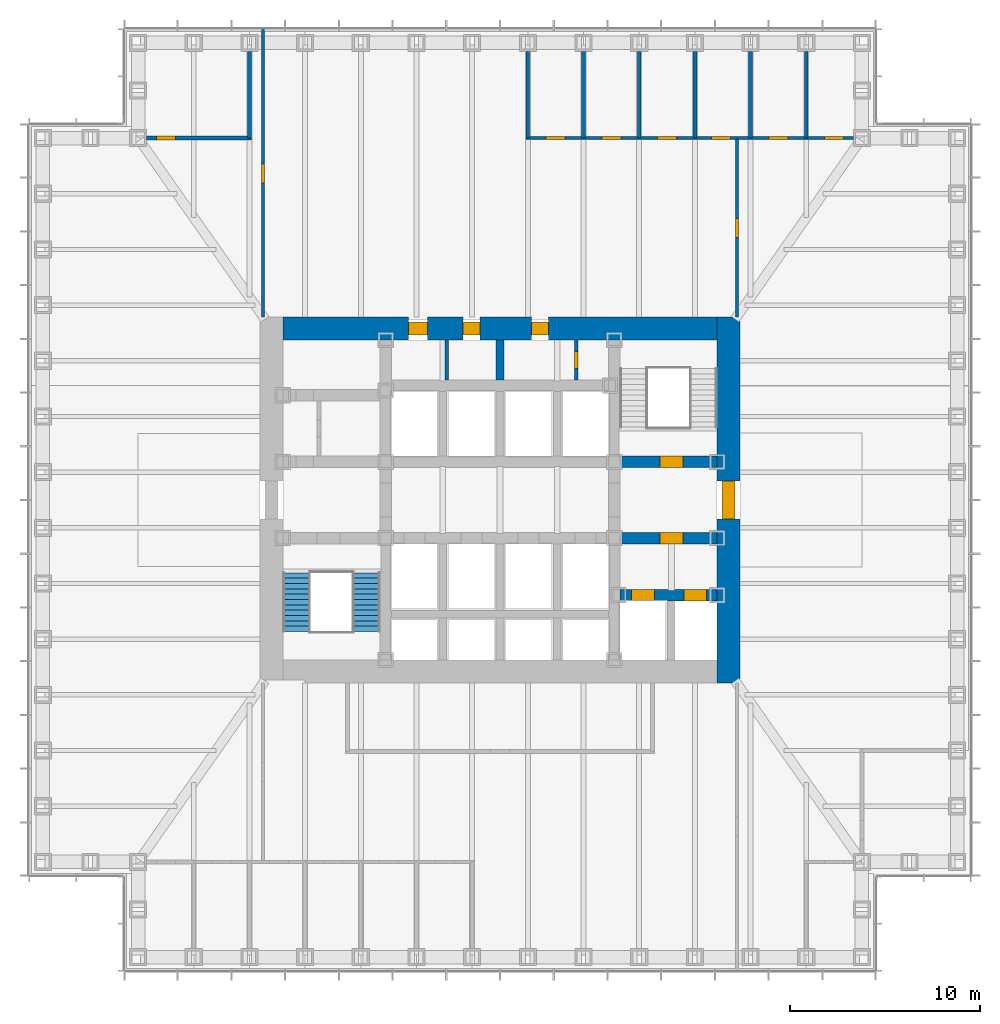
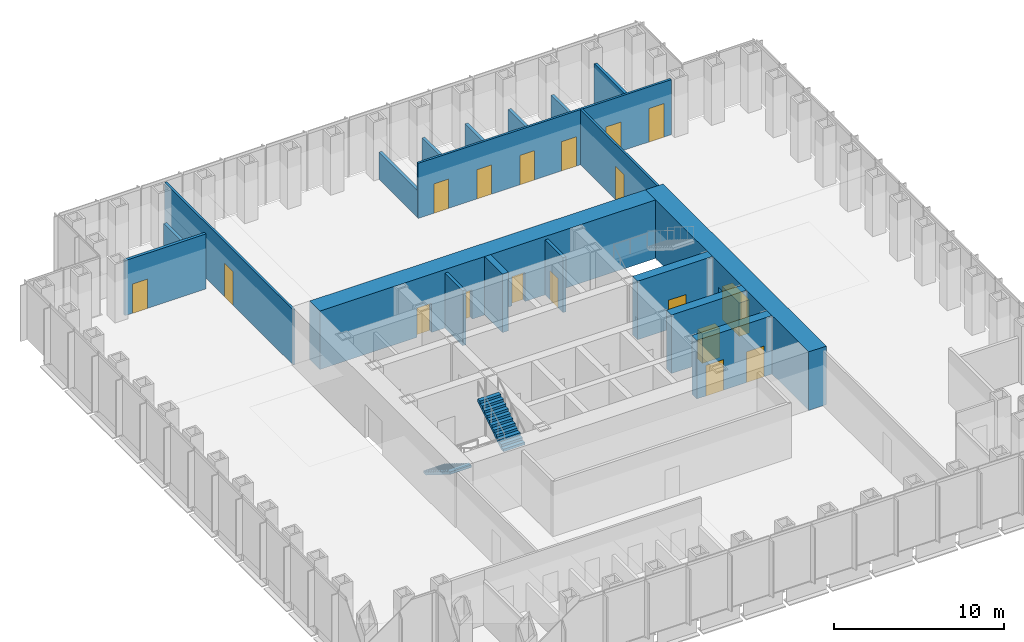
# One storey, part 10 of 17: 19 walls, 18 doors, 2 stair flights, 18 openings, 1 element without a shape of its own.
"""IFC4 building model written with IfcOpenShell, lengths in metres."""

import ifcopenshell
import ifcopenshell.guid

model = None  # the IFC model being written
_history = None  # IfcOwnerHistory: only IFC2X3 demands one
_inside = {}  # id of a spatial element -> (the spatial element, [elements in it])
_under = {}  # id of a project, library or spatial element -> (it, [spatial elements below it])
_declared = {}  # id of a project -> (the project, [libraries it declares])
_typed = {}  # id of a type object -> (the type object, [elements of that type])
_made_of = {}  # id of a material, layer set ... -> (it, [elements and type objects made of it])


def new_model(schema):
    """Start an empty IFC model of exactly this schema.

    Asked for "IFC4X3", IfcOpenShell would pick the latest addendum, in which some entities
    have other attributes; the version numbers below select the first issue.
    IFC2X3 requires an IfcOwnerHistory on every rooted entity: one is made here for all.
    """
    global model, _history
    if schema == "IFC4X3":
        model = ifcopenshell.file(schema_version=(4, 3, 0, 0))
    else:
        model = ifcopenshell.file(schema=schema)
    _inside.clear()
    _under.clear()
    _declared.clear()
    _typed.clear()
    _made_of.clear()
    _history = None
    if model.schema == "IFC2X3":
        org = make("IfcOrganization", Name="unknown")
        user = make(
            "IfcPersonAndOrganization",
            ThePerson=make("IfcPerson", FamilyName="unknown"),
            TheOrganization=org,
        )
        app = make(
            "IfcApplication",
            ApplicationDeveloper=org,
            Version="unknown",
            ApplicationFullName="unknown",
            ApplicationIdentifier="unknown",
        )
        _history = make(
            "IfcOwnerHistory",
            OwningUser=user,
            OwningApplication=app,
            ChangeAction="ADDED",
            CreationDate=0,
        )
    return model


def make(cls, **values):
    """One entity of the class cls with the attributes given. An attribute that is None is left unset."""
    return model.create_entity(
        cls, **{name: value for name, value in values.items() if value is not None}
    )


def rooted(cls, **values):
    """An entity with a GlobalId (a new one), such as an element, a storey or a relation."""
    return make(cls, GlobalId=ifcopenshell.guid.new(), OwnerHistory=_history, **values)


def si_unit(unit_type, name, prefix=None):
    """IfcSIUnit, for example si_unit("LENGTHUNIT", "METRE", prefix="MILLI")."""
    return make("IfcSIUnit", UnitType=unit_type, Prefix=prefix, Name=name)


def assignment(units):
    """IfcUnitAssignment: the units of a project."""
    return None if units is None else make("IfcUnitAssignment", Units=units)


def point(xyz):
    """IfcCartesianPoint."""
    return None if xyz is None else make("IfcCartesianPoint", Coordinates=xyz)


def direction(xyz):
    """IfcDirection."""
    return None if xyz is None else make("IfcDirection", DirectionRatios=xyz)


def frame(location, z_axis=None, x_axis=None):
    """IfcAxis2Placement3D, a coordinate frame: its origin and axes. An axis left out is left unset."""
    return make(
        "IfcAxis2Placement3D",
        Location=point(location),
        Axis=direction(z_axis),
        RefDirection=direction(x_axis),
    )


def frame_2d(location, x_axis=None):
    """IfcAxis2Placement2D, a coordinate frame in the plane: its origin and x axis."""
    return make(
        "IfcAxis2Placement2D", Location=point(location), RefDirection=direction(x_axis)
    )


def origin():
    """The frame at (0, 0, 0) with its axes left unset."""
    return frame((0.0, 0.0, 0.0))


def place(relative_to, where):
    """IfcLocalPlacement: puts the frame where relative to a parent placement (None: the world)."""
    return make(
        "IfcLocalPlacement", PlacementRelTo=relative_to, RelativePlacement=where
    )


def context(
    kind, dimensions, precision=None, world=None, true_north=None, identifier=None
):
    """IfcGeometricRepresentationContext, for example the 3D "Model" context."""
    return make(
        "IfcGeometricRepresentationContext",
        ContextIdentifier=identifier,
        ContextType=kind,
        CoordinateSpaceDimension=dimensions,
        Precision=precision,
        WorldCoordinateSystem=world,
        TrueNorth=true_north,
    )


def subcontext(parent, identifier, kind, view, scale=None):
    """IfcGeometricRepresentationSubContext, for example "Body" below "Model"."""
    return make(
        "IfcGeometricRepresentationSubContext",
        ContextIdentifier=identifier,
        ContextType=kind,
        ParentContext=parent,
        TargetScale=scale,
        TargetView=view,
    )


def project(units=None, contexts=None):
    """IfcProject with its units and contexts."""
    return rooted(
        "IfcProject",
        Name="project",
        RepresentationContexts=contexts,
        UnitsInContext=assignment(units),
    )


def spatial(cls, under=None, at=None, **own):
    """A site, building, storey or space (cls), placed at a placement, below another one or the project."""
    s = rooted(cls, ObjectPlacement=at, **own)
    if under is not None:
        _under.setdefault(under.id(), (under, []))[1].append(s)
    return s


def polyline(points):
    """IfcPolyline through the points."""
    return make("IfcPolyline", Points=[point(p) for p in points])


def profile(cls, at=None, kind="AREA", **sizes):
    """A parametric profile (cls). Its sizes go by their IFC names, for example OverallWidth=200.0."""
    return make(cls, ProfileType=kind, Position=at, **sizes)


def rectangle(**sizes):
    """IfcRectangleProfileDef."""
    return profile("IfcRectangleProfileDef", **sizes)


def outline(outer, holes=None, kind="AREA"):
    """IfcArbitraryClosedProfileDef: a profile drawn as a closed curve; with holes, ...WithVoids."""
    if holes is None:
        return make("IfcArbitraryClosedProfileDef", ProfileType=kind, OuterCurve=outer)
    return make(
        "IfcArbitraryProfileDefWithVoids",
        ProfileType=kind,
        OuterCurve=outer,
        InnerCurves=holes,
    )


def extrude(swept, where, along, depth):
    """IfcExtrudedAreaSolid: the profile swept, set in the frame where, extruded along a direction by depth."""
    return make(
        "IfcExtrudedAreaSolid",
        SweptArea=swept,
        Position=where,
        ExtrudedDirection=direction(along),
        Depth=depth,
    )


def shape(context_of_items, identifier, shape_type, items):
    """IfcShapeRepresentation: the items that make up one representation, for example the "Body"."""
    return make(
        "IfcShapeRepresentation",
        ContextOfItems=context_of_items,
        RepresentationIdentifier=identifier,
        RepresentationType=shape_type,
        Items=items,
    )


def material(Name=None, Category=None):
    """IfcMaterial."""
    return make("IfcMaterial", Name=Name, Category=Category)


def layer(
    of_material, thickness, ventilated=None, Name=None, Category=None, Priority=None
):
    """IfcMaterialLayer: one layer of a wall or slab, of a material (None: an air gap)."""
    return make(
        "IfcMaterialLayer",
        Material=of_material,
        LayerThickness=thickness,
        IsVentilated=ventilated,
        Name=Name,
        Category=Category,
        Priority=Priority,
    )


def layer_set(layers, Name=None):
    """IfcMaterialLayerSet."""
    return make("IfcMaterialLayerSet", MaterialLayers=layers, LayerSetName=Name)


def made_of(thing, what):
    """Note that an element or type object is made of a material, layer set ...; save() writes the relation."""
    if what is not None:
        _made_of.setdefault(what.id(), (what, []))[1].append(thing)
    return thing


def type_object(cls, material=None, **own):
    """A type object (cls), such as IfcWallType, which elements share."""
    return made_of(rooted(cls, **own), material)


def element(
    cls,
    number,
    at=None,
    inside=None,
    cuts=None,
    type_object=None,
    material=None,
    context=None,
    identifier="Body",
    shape_type=None,
    held_by="IfcProductDefinitionShape",
    body=None,
    shapes=None,
    **own,
):
    """One element of the class cls, such as IfcWall. Its Tag is "e" and its number.

    at: its placement. inside: the storey or other place that contains it. cuts: it is an
    opening in that element (IfcRelVoidsElement). A single representation is given by context,
    identifier, shape_type and body (its items); several are given by shapes. held_by: the class
    of the entity that holds the representations. save() writes the other relations.
    """
    e = rooted(cls, Tag="e%d" % number, ObjectPlacement=at, **own)
    if body is not None:
        shapes = [shape(context, identifier, shape_type, body)]
    if shapes is not None:
        e.Representation = make(held_by, Representations=shapes)
    if inside is not None:
        _inside.setdefault(inside.id(), (inside, []))[1].append(e)
    if cuts is not None:
        rooted(
            "IfcRelVoidsElement", RelatingBuildingElement=cuts, RelatedOpeningElement=e
        )
    if type_object is not None:
        _typed.setdefault(type_object.id(), (type_object, []))[1].append(e)
    return made_of(e, material)


def fill(opening, filler):
    """IfcRelFillsElement: the door or window that sits in an opening."""
    return rooted(
        "IfcRelFillsElement",
        RelatingOpeningElement=opening,
        RelatedBuildingElement=filler,
    )


def aggregate(whole, parts):
    """IfcRelAggregates: a whole, such as a stair, and the parts it consists of."""
    return rooted("IfcRelAggregates", RelatingObject=whole, RelatedObjects=parts)


def save(model, path):
    """Write the relations noted so far, then the file.

    IfcRelAggregates (storeys below a building ...), IfcRelContainedInSpatialStructure (elements
    in a storey), IfcRelDefinesByType, IfcRelAssociatesMaterial and IfcRelDeclares: one each for
    every whole, place, type object, material and project.
    """
    for whole, parts in _under.values():
        aggregate(whole, parts)
    for where, things in _inside.values():
        rooted(
            "IfcRelContainedInSpatialStructure",
            RelatedElements=things,
            RelatingStructure=where,
        )
    for kind, things in _typed.values():
        rooted("IfcRelDefinesByType", RelatedObjects=things, RelatingType=kind)
    for what, things in _made_of.values():
        rooted("IfcRelAssociatesMaterial", RelatedObjects=things, RelatingMaterial=what)
    for by, libraries in _declared.values():
        rooted("IfcRelDeclares", RelatingContext=by, RelatedDefinitions=libraries)
    model.write(path)


model = new_model("IFC4")

# Units and contexts
model_context = context("Model", 3, precision=1e-05, world=origin(), true_north=direction((0.0, 1.0)))
body_context = subcontext(model_context, "Body", "Model", "MODEL_VIEW")
ifc_project = project(units=[si_unit("LENGTHUNIT", "METRE"), si_unit("AREAUNIT", "SQUARE_METRE"), si_unit("VOLUMEUNIT", "CUBIC_METRE"), si_unit("PLANEANGLEUNIT", "RADIAN"), si_unit("MASSUNIT", "GRAM", prefix="KILO")], contexts=[model_context])

# Site, building, storey
site_placement = place(None, origin())
site = spatial("IfcSite", under=ifc_project, at=site_placement, CompositionType="ELEMENT")
building_placement = place(site_placement, origin())
building = spatial("IfcBuilding", under=site, at=building_placement, Name="Daluyong Arena Tower", CompositionType="ELEMENT")
storey_placement = place(building_placement, frame((0.0, 0.0, 97.89990234375)))
storey = spatial("IfcBuildingStorey", under=building, at=storey_placement, Name="L21", CompositionType="ELEMENT", Elevation=97.89990234375)

# Wall, openings, doors
ifc_material_1 = material(Name="Concrete fc' 60 MPa", Category="concrete")
ifc_layer_1 = layer(ifc_material_1, 0.60009765625)
ifc_layer_set_1 = layer_set([ifc_layer_1], Name="Concrete fc' 60 MPa")
wall_type_1 = type_object("IfcWallType", Name="Core inner wall 600", PredefinedType="SHEAR", material=ifc_layer_set_1)
wall_1_placement = place(storey_placement, frame((62.300048828125, 75.0, 0.0), z_axis=(0.0, 0.0, 1.0), x_axis=(1.0, 0.0, 0.0)))
wall_1 = element("IfcWall", 1, at=wall_1_placement, inside=storey, type_object=wall_type_1, Name="core inner wall at L21", PredefinedType="SHEAR", context=body_context, shape_type="SweptSolid", body=[
    extrude(rectangle(XDim=5.099853515625, YDim=0.60009765625, at=frame_2d((2.5498046875, 0.0))), origin(), (0.0, 0.0, 1.0), 4.2001953125),
])
opening_1_placement = place(wall_1_placement, frame((0.60009765625, 0.0, 0.0)))
opening_1 = element("IfcOpeningElement", 2, at=opening_1_placement, cuts=wall_1, Name="Opening 21019", PredefinedType="OPENING", context=body_context, shape_type="SweptSolid", body=[
    extrude(rectangle(XDim=1.199951171875, YDim=2.199951171875, at=frame_2d((0.60009765625, 1.10009765625))), frame((0.0, 0.31005859375, 0.0), z_axis=(0.0, -1.0, 0.0), x_axis=(1.0, 0.0, 0.0)), (0.0, 0.0, 1.0), 0.6201171875),
])
opening_2_placement = place(wall_1_placement, frame((3.35009765625, 0.0, 0.0)))
opening_2 = element("IfcOpeningElement", 3, at=opening_2_placement, cuts=wall_1, Name="Opening 21020", PredefinedType="OPENING", context=body_context, shape_type="SweptSolid", body=[
    extrude(rectangle(XDim=1.199951171875, YDim=2.199951171875, at=frame_2d((0.60009765625, 1.10009765625))), frame((0.0, 0.31005859375, 0.0), z_axis=(0.0, -1.0, 0.0), x_axis=(1.0, 0.0, 0.0)), (0.0, 0.0, 1.0), 0.6201171875),
])
ifc_material_2 = material(Name="Steel door, fire rated", Category="steel")
door_type_1 = type_object("IfcDoorType", Name="Firefighting lift landing door 1200", OperationType="SLIDING_TO_LEFT", PredefinedType="DOOR", material=ifc_material_2)
door_1_placement = place(opening_1_placement, origin())
door_1 = element("IfcDoor", 4, at=door_1_placement, inside=storey, type_object=door_type_1, Name="firefighting lift landing door F1 21019", OperationType="SLIDING_TO_LEFT", OverallHeight=2.199951171875, OverallWidth=1.199951171875, PredefinedType="DOOR", context=body_context, shape_type="SweptSolid", body=[
    extrude(rectangle(XDim=1.199951171875, YDim=2.199951171875, at=frame_2d((0.60009765625, 1.10009765625))), frame((0.0, 0.2998046875, 0.0), z_axis=(0.0, -1.0, 0.0), x_axis=(1.0, 0.0, 0.0)), (0.0, 0.0, 1.0), 0.599609375),
])
fill(opening_1, door_1)
door_2_placement = place(opening_2_placement, origin())
door_2 = element("IfcDoor", 5, at=door_2_placement, inside=storey, type_object=door_type_1, Name="firefighting lift landing door F2 21020", OperationType="SLIDING_TO_LEFT", OverallHeight=2.199951171875, OverallWidth=1.199951171875, PredefinedType="DOOR", context=body_context, shape_type="SweptSolid", body=[
    extrude(rectangle(XDim=1.199951171875, YDim=2.199951171875, at=frame_2d((0.60009765625, 1.10009765625))), frame((0.0, 0.2998046875, 0.0), z_axis=(0.0, -1.0, 0.0), x_axis=(1.0, 0.0, 0.0)), (0.0, 0.0, 1.0), 0.599609375),
])
fill(opening_2, door_2)

# Wall, opening, door
wall_2_placement = place(storey_placement, frame((62.300048828125, 78.0, 0.0), z_axis=(0.0, 0.0, 1.0), x_axis=(1.0, 0.0, 0.0)))
wall_2 = element("IfcWall", 6, at=wall_2_placement, inside=storey, type_object=wall_type_1, Name="core inner wall at L21", PredefinedType="SHEAR", context=body_context, shape_type="SweptSolid", body=[
    extrude(rectangle(XDim=5.099853515625, YDim=0.60009765625, at=frame_2d((2.5498046875, 0.0))), origin(), (0.0, 0.0, 1.0), 4.2001953125),
])
opening_3_placement = place(wall_2_placement, frame((2.10009765625, 0.0, 0.0)))
opening_3 = element("IfcOpeningElement", 7, at=opening_3_placement, cuts=wall_2, Name="Opening 21014", PredefinedType="OPENING", context=body_context, shape_type="SweptSolid", body=[
    extrude(rectangle(XDim=1.199951171875, YDim=2.10009765625, at=frame_2d((0.60009765625, 1.050048828125))), frame((0.0, 0.31005859375, 0.0), z_axis=(0.0, -1.0, 0.0), x_axis=(1.0, 0.0, 0.0)), (0.0, 0.0, 1.0), 0.6201171875),
])
ifc_material_3 = material(Name="Steel door, fire rated", Category="steel")
door_type_2 = type_object("IfcDoorType", Name="Firefighting lobby door 1200", OperationType="SINGLE_SWING_RIGHT", PredefinedType="DOOR", material=ifc_material_3)
door_3_placement = place(opening_3_placement, origin())
door_3 = element("IfcDoor", 8, at=door_3_placement, inside=storey, type_object=door_type_2, Name="firefighting lobby door 21014", OperationType="SINGLE_SWING_RIGHT", OverallHeight=2.10009765625, OverallWidth=1.199951171875, PredefinedType="DOOR", context=body_context, shape_type="SweptSolid", body=[
    extrude(rectangle(XDim=1.199951171875, YDim=2.10009765625, at=frame_2d((0.60009765625, 1.050048828125))), frame((0.0, 0.2998046875, 0.0), z_axis=(0.0, -1.0, 0.0), x_axis=(1.0, 0.0, 0.0)), (0.0, 0.0, 1.0), 0.599609375),
])
fill(opening_3, door_3)

wall_3_placement = place(storey_placement, frame((62.300048828125, 82.0, 0.0), z_axis=(0.0, 0.0, 1.0), x_axis=(1.0, 0.0, 0.0)))
wall_3 = element("IfcWall", 9, at=wall_3_placement, inside=storey, type_object=wall_type_1, Name="core inner wall at L21", PredefinedType="SHEAR", context=body_context, shape_type="SweptSolid", body=[
    extrude(rectangle(XDim=5.099853515625, YDim=0.60009765625, at=frame_2d((2.5498046875, 0.0))), origin(), (0.0, 0.0, 1.0), 4.2001953125),
])
opening_4_placement = place(wall_3_placement, frame((2.10009765625, 0.0, 0.0)))
opening_4 = element("IfcOpeningElement", 10, at=opening_4_placement, cuts=wall_3, Name="Opening 21009", PredefinedType="OPENING", context=body_context, shape_type="SweptSolid", body=[
    extrude(rectangle(XDim=1.199951171875, YDim=2.10009765625, at=frame_2d((0.60009765625, 1.050048828125))), frame((0.0, 0.31005859375, 0.0), z_axis=(0.0, -1.0, 0.0), x_axis=(1.0, 0.0, 0.0)), (0.0, 0.0, 1.0), 0.6201171875),
])
ifc_material_4 = material(Name="Steel door, fire rated", Category="steel")
door_type_3 = type_object("IfcDoorType", Name="Stair door 1200", OperationType="SINGLE_SWING_LEFT", PredefinedType="DOOR", material=ifc_material_4)
door_4_placement = place(opening_4_placement, origin())
door_4 = element("IfcDoor", 11, at=door_4_placement, inside=storey, type_object=door_type_3, Name="stair B door 21009", OperationType="SINGLE_SWING_LEFT", OverallHeight=2.10009765625, OverallWidth=1.199951171875, PredefinedType="DOOR", context=body_context, shape_type="SweptSolid", body=[
    extrude(rectangle(XDim=1.199951171875, YDim=2.10009765625, at=frame_2d((0.60009765625, 1.050048828125))), frame((0.0, 0.2998046875, 0.0), z_axis=(0.0, -1.0, 0.0), x_axis=(1.0, 0.0, 0.0)), (0.0, 0.0, 1.0), 0.599609375),
])
fill(opening_4, door_4)

ifc_material_5 = material(Name="Concrete fc' 60 MPa", Category="concrete")
ifc_layer_2 = layer(ifc_material_5, 1.199951171875)
ifc_layer_set_2 = layer_set([ifc_layer_2], Name="Concrete fc' 60 MPa")
wall_type_2 = type_object("IfcWallType", Name="Core wall 1200", PredefinedType="SHEAR", material=ifc_layer_set_2)
wall_4_placement = place(storey_placement, frame((68.0, 70.39990234375, 0.0), z_axis=(0.0, 0.0, 1.0), x_axis=(0.0, 1.0, 0.0)))
wall_4 = element("IfcWall", 12, at=wall_4_placement, inside=storey, type_object=wall_type_2, Name="core wall at L21", PredefinedType="SHEAR", context=body_context, shape_type="SweptSolid", body=[
    extrude(rectangle(XDim=19.2001953125, YDim=1.199951171875, at=frame_2d((9.60009765625, 0.0))), origin(), (0.0, 0.0, 1.0), 4.2001953125),
])
opening_5_placement = place(wall_4_placement, frame((8.60009765625, 0.0, 0.0)))
opening_5 = element("IfcOpeningElement", 13, at=opening_5_placement, cuts=wall_4, Name="Opening 21011", PredefinedType="OPENING", context=body_context, shape_type="SweptSolid", body=[
    extrude(rectangle(XDim=2.0, YDim=2.39990234375, at=frame_2d((1.0, 1.199951171875))), frame((0.0, 0.60986328125, 0.0), z_axis=(0.0, -1.0, 0.0), x_axis=(1.0, 0.0, 0.0)), (0.0, 0.0, 1.0), 1.219970703125),
])
ifc_material_6 = material(Name="Steel door, fire rated", Category="steel")
door_type_4 = type_object("IfcDoorType", Name="Core lobby double door 2000", OperationType="DOUBLE_DOOR_SINGLE_SWING", PredefinedType="DOOR", material=ifc_material_6)
door_5_placement = place(opening_5_placement, origin())
door_5 = element("IfcDoor", 14, at=door_5_placement, inside=storey, type_object=door_type_4, Name="core lobby door east 21011", OperationType="DOUBLE_DOOR_SINGLE_SWING", OverallHeight=2.39990234375, OverallWidth=2.0, PredefinedType="DOOR", context=body_context, shape_type="SweptSolid", body=[
    extrude(rectangle(XDim=2.0, YDim=2.39990234375, at=frame_2d((1.0, 1.199951171875))), frame((0.0, 0.35009765625, 0.0), z_axis=(0.0, -1.0, 0.0), x_axis=(1.0, 0.0, 0.0)), (0.0, 0.0, 1.0), 0.699951171875),
])
fill(opening_5, door_5)

# Wall, openings, doors
wall_5_placement = place(storey_placement, frame((44.60009765625, 89.0, 0.0), z_axis=(0.0, 0.0, 1.0), x_axis=(1.0, 0.0, 0.0)))
wall_5 = element("IfcWall", 15, at=wall_5_placement, inside=storey, type_object=wall_type_2, Name="core wall at L21", PredefinedType="SHEAR", context=body_context, shape_type="SweptSolid", body=[
    extrude(rectangle(XDim=22.7998046875, YDim=1.199951171875, at=frame_2d((11.39990234375, 0.0))), origin(), (0.0, 0.0, 1.0), 4.2001953125),
])
opening_6_placement = place(wall_5_placement, frame((6.60009765625, 0.0, 0.0)))
opening_6 = element("IfcOpeningElement", 16, at=opening_6_placement, cuts=wall_5, Name="Opening 21004", PredefinedType="OPENING", context=body_context, shape_type="SweptSolid", body=[
    extrude(rectangle(XDim=1.0, YDim=2.10009765625, at=frame_2d((0.5, 1.050048828125))), frame((0.0, 0.60986328125, 0.0), z_axis=(0.0, -1.0, 0.0), x_axis=(1.0, 0.0, 0.0)), (0.0, 0.0, 1.0), 1.219970703125),
])
opening_7_placement = place(wall_5_placement, frame((9.449951171875, 0.0, 0.0)))
opening_7 = element("IfcOpeningElement", 17, at=opening_7_placement, cuts=wall_5, Name="Opening 21005", PredefinedType="OPENING", context=body_context, shape_type="SweptSolid", body=[
    extrude(rectangle(XDim=0.89990234375, YDim=2.10009765625, at=frame_2d((0.449951171875, 1.050048828125))), frame((0.0, 0.60986328125, 0.0), z_axis=(0.0, -1.0, 0.0), x_axis=(1.0, 0.0, 0.0)), (0.0, 0.0, 1.0), 1.219970703125),
])
opening_8_placement = place(wall_5_placement, frame((13.050048828125, 0.0, 0.0)))
opening_8 = element("IfcOpeningElement", 18, at=opening_8_placement, cuts=wall_5, Name="Opening 21006", PredefinedType="OPENING", context=body_context, shape_type="SweptSolid", body=[
    extrude(rectangle(XDim=0.89990234375, YDim=2.10009765625, at=frame_2d((0.449951171875, 1.050048828125))), frame((0.0, 0.60986328125, 0.0), z_axis=(0.0, -1.0, 0.0), x_axis=(1.0, 0.0, 0.0)), (0.0, 0.0, 1.0), 1.219970703125),
])
ifc_material_7 = material(Name="Timber door", Category="wood")
door_type_5 = type_object("IfcDoorType", Name="Accessible toilet door 1000", OperationType="SINGLE_SWING_LEFT", PredefinedType="DOOR", material=ifc_material_7)
door_6_placement = place(opening_6_placement, origin())
door_6 = element("IfcDoor", 19, at=door_6_placement, inside=storey, type_object=door_type_5, Name="accessible toilet door 21004", OperationType="SINGLE_SWING_LEFT", OverallHeight=2.10009765625, OverallWidth=1.0, PredefinedType="DOOR", context=body_context, shape_type="SweptSolid", body=[
    extrude(rectangle(XDim=1.0, YDim=2.10009765625, at=frame_2d((0.5, 1.050048828125))), frame((0.0, 0.35009765625, 0.0), z_axis=(0.0, -1.0, 0.0), x_axis=(1.0, 0.0, 0.0)), (0.0, 0.0, 1.0), 0.699951171875),
])
fill(opening_6, door_6)
ifc_material_8 = material(Name="Steel door, fire rated", Category="steel")
door_type_6 = type_object("IfcDoorType", Name="Core room door 900", OperationType="SINGLE_SWING_LEFT", PredefinedType="DOOR", material=ifc_material_8)
door_7_placement = place(opening_7_placement, origin())
door_7 = element("IfcDoor", 20, at=door_7_placement, inside=storey, type_object=door_type_6, Name="print room door 21005", OperationType="SINGLE_SWING_LEFT", OverallHeight=2.10009765625, OverallWidth=0.89990234375, PredefinedType="DOOR", context=body_context, shape_type="SweptSolid", body=[
    extrude(rectangle(XDim=0.89990234375, YDim=2.10009765625, at=frame_2d((0.449951171875, 1.050048828125))), frame((0.0, 0.35009765625, 0.0), z_axis=(0.0, -1.0, 0.0), x_axis=(1.0, 0.0, 0.0)), (0.0, 0.0, 1.0), 0.699951171875),
])
fill(opening_7, door_7)
ifc_material_9 = material(Name="Steel door, fire rated", Category="steel")
door_type_7 = type_object("IfcDoorType", Name="Core store door 900", OperationType="SINGLE_SWING_LEFT", PredefinedType="DOOR", material=ifc_material_9)
door_8_placement = place(opening_8_placement, origin())
door_8 = element("IfcDoor", 21, at=door_8_placement, inside=storey, type_object=door_type_7, Name="stationery store door 21006", OperationType="SINGLE_SWING_LEFT", OverallHeight=2.10009765625, OverallWidth=0.89990234375, PredefinedType="DOOR", context=body_context, shape_type="SweptSolid", body=[
    extrude(rectangle(XDim=0.89990234375, YDim=2.10009765625, at=frame_2d((0.449951171875, 1.050048828125))), frame((0.0, 0.35009765625, 0.0), z_axis=(0.0, -1.0, 0.0), x_axis=(1.0, 0.0, 0.0)), (0.0, 0.0, 1.0), 0.699951171875),
])
fill(opening_8, door_8)

# Wall
ifc_material_10 = material(Name="Concrete block partition, fire rated", Category="concrete")
ifc_layer_3 = layer(ifc_material_10, 0.199951171875)
ifc_layer_set_3 = layer_set([ifc_layer_3], Name="Concrete block partition, fire rated")
wall_type_3 = type_object("IfcWallType", Name="Fire-rated partition 200", PredefinedType="PARTITIONING", material=ifc_layer_set_3)
wall_6_placement = place(storey_placement, frame((53.199951171875, 86.300048828125, 0.0), z_axis=(0.0, 0.0, 1.0), x_axis=(0.0, 1.0, 0.0)))
element("IfcWall", 22, at=wall_6_placement, inside=storey, type_object=wall_type_3, Name="core room partition at L21", PredefinedType="PARTITIONING", context=body_context, shape_type="SweptSolid", body=[
    extrude(rectangle(XDim=2.099853515625, YDim=0.199951171875, at=frame_2d((1.0498046875, 0.0))), origin(), (0.0, 0.0, 1.0), 3.9501953125),
])

# Wall, opening, door
wall_7_placement = place(storey_placement, frame((60.0, 86.300048828125, 0.0), z_axis=(0.0, 0.0, 1.0), x_axis=(0.0, 1.0, 0.0)))
wall_7 = element("IfcWall", 23, at=wall_7_placement, inside=storey, type_object=wall_type_3, Name="electrical riser enclosure at L21", PredefinedType="PARTITIONING", context=body_context, shape_type="SweptSolid", body=[
    extrude(rectangle(XDim=2.099853515625, YDim=0.199951171875, at=frame_2d((1.0498046875, 0.0))), origin(), (0.0, 0.0, 1.0), 3.9501953125),
])
opening_9_placement = place(wall_7_placement, frame((0.60009765625, 0.0, 0.0)))
opening_9 = element("IfcOpeningElement", 24, at=opening_9_placement, cuts=wall_7, Name="Opening 21007", PredefinedType="OPENING", context=body_context, shape_type="SweptSolid", body=[
    extrude(rectangle(XDim=0.89990234375, YDim=2.10009765625, at=frame_2d((0.449951171875, 1.050048828125))), frame((0.0, 0.10986328125, 0.0), z_axis=(0.0, -1.0, 0.0), x_axis=(1.0, 0.0, 0.0)), (0.0, 0.0, 1.0), 0.219970703125),
])
ifc_material_11 = material(Name="Steel door, fire rated", Category="steel")
door_type_8 = type_object("IfcDoorType", Name="Riser door 900", OperationType="SINGLE_SWING_LEFT", PredefinedType="DOOR", material=ifc_material_11)
door_9_placement = place(opening_9_placement, origin())
door_9 = element("IfcDoor", 25, at=door_9_placement, inside=storey, type_object=door_type_8, Name="riser door 21007", OperationType="SINGLE_SWING_LEFT", OverallHeight=2.10009765625, OverallWidth=0.89990234375, PredefinedType="DOOR", context=body_context, shape_type="SweptSolid", body=[
    extrude(rectangle(XDim=0.89990234375, YDim=2.10009765625, at=frame_2d((0.449951171875, 1.050048828125))), frame((0.0, 0.099609375, 0.0), z_axis=(0.0, -1.0, 0.0), x_axis=(1.0, 0.0, 0.0)), (0.0, 0.0, 1.0), 0.199462890625),
])
fill(opening_9, door_9)

# Wall, openings, doors
ifc_material_12 = material(Name="Glazed aluminium partition", Category="aluminium")
ifc_layer_4 = layer(ifc_material_12, 0.14990234375)
ifc_layer_set_4 = layer_set([ifc_layer_4], Name="Glazed aluminium partition")
wall_type_4 = type_object("IfcWallType", Name="Glazed partition 150", PredefinedType="PARTITIONING", material=ifc_layer_set_4)
wall_8_placement = place(storey_placement, frame((57.361572265625, 99.0, 0.0), z_axis=(0.0, 0.0, 1.0), x_axis=(1.0, 0.0, 0.0)))
wall_8 = element("IfcWall", 26, at=wall_8_placement, inside=storey, type_object=wall_type_4, Name="glazed partition at L21", PredefinedType="PARTITIONING", context=body_context, shape_type="SweptSolid", body=[
    extrude(rectangle(XDim=17.1884765625, YDim=0.14990234375, at=frame_2d((8.59423828125, 0.0))), origin(), (0.0, 0.0, 1.0), 3.9501953125),
])
opening_10_placement = place(wall_8_placement, frame((1.0615234375, 0.0, 0.0)))
opening_10 = element("IfcOpeningElement", 27, at=opening_10_placement, cuts=wall_8, Name="Opening 21030", PredefinedType="OPENING", context=body_context, shape_type="SweptSolid", body=[
    extrude(rectangle(XDim=1.0, YDim=2.10009765625, at=frame_2d((0.5, 1.050048828125))), frame((0.0, 0.0849609375, 0.0), z_axis=(0.0, -1.0, 0.0), x_axis=(1.0, 0.0, 0.0)), (0.0, 0.0, 1.0), 0.169921875),
])
opening_11_placement = place(wall_8_placement, frame((3.984619140625, 0.0, 0.0)))
opening_11 = element("IfcOpeningElement", 28, at=opening_11_placement, cuts=wall_8, Name="Opening 21031", PredefinedType="OPENING", context=body_context, shape_type="SweptSolid", body=[
    extrude(rectangle(XDim=1.0, YDim=2.10009765625, at=frame_2d((0.5, 1.050048828125))), frame((0.0, 0.0849609375, 0.0), z_axis=(0.0, -1.0, 0.0), x_axis=(1.0, 0.0, 0.0)), (0.0, 0.0, 1.0), 0.169921875),
])
opening_12_placement = place(wall_8_placement, frame((6.90771484375, 0.0, 0.0)))
opening_12 = element("IfcOpeningElement", 29, at=opening_12_placement, cuts=wall_8, Name="Opening 21032", PredefinedType="OPENING", context=body_context, shape_type="SweptSolid", body=[
    extrude(rectangle(XDim=1.0, YDim=2.10009765625, at=frame_2d((0.5, 1.050048828125))), frame((0.0, 0.0849609375, 0.0), z_axis=(0.0, -1.0, 0.0), x_axis=(1.0, 0.0, 0.0)), (0.0, 0.0, 1.0), 0.169921875),
])
opening_13_placement = place(wall_8_placement, frame((9.738525390625, 0.0, 0.0)))
opening_13 = element("IfcOpeningElement", 30, at=opening_13_placement, cuts=wall_8, Name="Opening 21033", PredefinedType="OPENING", context=body_context, shape_type="SweptSolid", body=[
    extrude(rectangle(XDim=1.0, YDim=2.10009765625, at=frame_2d((0.5, 1.050048828125))), frame((0.0, 0.0849609375, 0.0), z_axis=(0.0, -1.0, 0.0), x_axis=(1.0, 0.0, 0.0)), (0.0, 0.0, 1.0), 0.169921875),
])
opening_14_placement = place(wall_8_placement, frame((12.75390625, 0.0, 0.0)))
opening_14 = element("IfcOpeningElement", 31, at=opening_14_placement, cuts=wall_8, Name="Opening 21034", PredefinedType="OPENING", context=body_context, shape_type="SweptSolid", body=[
    extrude(rectangle(XDim=1.0, YDim=2.10009765625, at=frame_2d((0.5, 1.050048828125))), frame((0.0, 0.0849609375, 0.0), z_axis=(0.0, -1.0, 0.0), x_axis=(1.0, 0.0, 0.0)), (0.0, 0.0, 1.0), 0.169921875),
])
opening_15_placement = place(wall_8_placement, frame((15.677001953125, 0.0, 0.0)))
opening_15 = element("IfcOpeningElement", 32, at=opening_15_placement, cuts=wall_8, Name="Opening 21035", PredefinedType="OPENING", context=body_context, shape_type="SweptSolid", body=[
    extrude(rectangle(XDim=1.0, YDim=2.39990234375, at=frame_2d((0.5, 1.199951171875))), frame((0.0, 0.0849609375, 0.0), z_axis=(0.0, -1.0, 0.0), x_axis=(1.0, 0.0, 0.0)), (0.0, 0.0, 1.0), 0.169921875),
])
ifc_material_13 = material(Name="Glazed aluminium door", Category="aluminium")
door_type_9 = type_object("IfcDoorType", Name="Meeting room glazed door 1000", OperationType="SINGLE_SWING_RIGHT", PredefinedType="DOOR", material=ifc_material_13)
door_10_placement = place(opening_15_placement, origin())
door_10 = element("IfcDoor", 33, at=door_10_placement, inside=storey, type_object=door_type_9, Name="meeting room door 21035", OperationType="SINGLE_SWING_RIGHT", OverallHeight=2.39990234375, OverallWidth=1.0, PredefinedType="DOOR", context=body_context, shape_type="SweptSolid", body=[
    extrude(rectangle(XDim=1.0, YDim=2.39990234375, at=frame_2d((0.5, 1.199951171875))), frame((0.0, 0.07470703125, 0.0), z_axis=(0.0, -1.0, 0.0), x_axis=(1.0, 0.0, 0.0)), (0.0, 0.0, 1.0), 0.1494140625),
])
fill(opening_15, door_10)
ifc_material_14 = material(Name="Timber door", Category="wood")
door_type_10 = type_object("IfcDoorType", Name="Room door 1000", OperationType="SINGLE_SWING_LEFT", PredefinedType="DOOR", material=ifc_material_14)
door_11_placement = place(opening_10_placement, origin())
door_11 = element("IfcDoor", 34, at=door_11_placement, inside=storey, type_object=door_type_10, Name="office door 21030", OperationType="SINGLE_SWING_LEFT", OverallHeight=2.10009765625, OverallWidth=1.0, PredefinedType="DOOR", context=body_context, shape_type="SweptSolid", body=[
    extrude(rectangle(XDim=1.0, YDim=2.10009765625, at=frame_2d((0.5, 1.050048828125))), frame((0.0, 0.07470703125, 0.0), z_axis=(0.0, -1.0, 0.0), x_axis=(1.0, 0.0, 0.0)), (0.0, 0.0, 1.0), 0.1494140625),
])
fill(opening_10, door_11)
door_12_placement = place(opening_11_placement, origin())
door_12 = element("IfcDoor", 35, at=door_12_placement, inside=storey, type_object=door_type_10, Name="office door 21031", OperationType="SINGLE_SWING_LEFT", OverallHeight=2.10009765625, OverallWidth=1.0, PredefinedType="DOOR", context=body_context, shape_type="SweptSolid", body=[
    extrude(rectangle(XDim=1.0, YDim=2.10009765625, at=frame_2d((0.5, 1.050048828125))), frame((0.0, 0.07470703125, 0.0), z_axis=(0.0, -1.0, 0.0), x_axis=(1.0, 0.0, 0.0)), (0.0, 0.0, 1.0), 0.1494140625),
])
fill(opening_11, door_12)
door_13_placement = place(opening_12_placement, origin())
door_13 = element("IfcDoor", 36, at=door_13_placement, inside=storey, type_object=door_type_10, Name="office door 21032", OperationType="SINGLE_SWING_LEFT", OverallHeight=2.10009765625, OverallWidth=1.0, PredefinedType="DOOR", context=body_context, shape_type="SweptSolid", body=[
    extrude(rectangle(XDim=1.0, YDim=2.10009765625, at=frame_2d((0.5, 1.050048828125))), frame((0.0, 0.07470703125, 0.0), z_axis=(0.0, -1.0, 0.0), x_axis=(1.0, 0.0, 0.0)), (0.0, 0.0, 1.0), 0.1494140625),
])
fill(opening_12, door_13)
door_14_placement = place(opening_13_placement, origin())
door_14 = element("IfcDoor", 37, at=door_14_placement, inside=storey, type_object=door_type_10, Name="office door 21033", OperationType="SINGLE_SWING_LEFT", OverallHeight=2.10009765625, OverallWidth=1.0, PredefinedType="DOOR", context=body_context, shape_type="SweptSolid", body=[
    extrude(rectangle(XDim=1.0, YDim=2.10009765625, at=frame_2d((0.5, 1.050048828125))), frame((0.0, 0.07470703125, 0.0), z_axis=(0.0, -1.0, 0.0), x_axis=(1.0, 0.0, 0.0)), (0.0, 0.0, 1.0), 0.1494140625),
])
fill(opening_13, door_14)
door_15_placement = place(opening_14_placement, origin())
door_15 = element("IfcDoor", 38, at=door_15_placement, inside=storey, type_object=door_type_10, Name="office door 21034", OperationType="SINGLE_SWING_LEFT", OverallHeight=2.10009765625, OverallWidth=1.0, PredefinedType="DOOR", context=body_context, shape_type="SweptSolid", body=[
    extrude(rectangle(XDim=1.0, YDim=2.10009765625, at=frame_2d((0.5, 1.050048828125))), frame((0.0, 0.07470703125, 0.0), z_axis=(0.0, -1.0, 0.0), x_axis=(1.0, 0.0, 0.0)), (0.0, 0.0, 1.0), 0.1494140625),
])
fill(opening_14, door_15)

# Wall, opening, door
wall_9_placement = place(storey_placement, frame((43.550048828125, 89.60009765625, 0.0), z_axis=(0.0, 0.0, 1.0), x_axis=(0.0, 1.0, 0.0)))
wall_9 = element("IfcWall", 39, at=wall_9_placement, inside=storey, type_object=wall_type_4, Name="glazed partition at L21", PredefinedType="PARTITIONING", context=body_context, shape_type="SweptSolid", body=[
    extrude(rectangle(XDim=15.08984375, YDim=0.14990234375, at=frame_2d((7.544921875, 0.0))), origin(), (0.0, 0.0, 1.0), 3.9501953125),
])
opening_16_placement = place(wall_9_placement, frame((7.044921875, 0.0, 0.0)))
opening_16 = element("IfcOpeningElement", 40, at=opening_16_placement, cuts=wall_9, Name="Opening 21039", PredefinedType="OPENING", context=body_context, shape_type="SweptSolid", body=[
    extrude(rectangle(XDim=1.0, YDim=2.39990234375, at=frame_2d((0.5, 1.199951171875))), frame((0.0, 0.0849609375, 0.0), z_axis=(0.0, -1.0, 0.0), x_axis=(1.0, 0.0, 0.0)), (0.0, 0.0, 1.0), 0.169921875),
])
door_16_placement = place(opening_16_placement, origin())
door_16 = element("IfcDoor", 41, at=door_16_placement, inside=storey, type_object=door_type_9, Name="team area screen door 21039", OperationType="SINGLE_SWING_RIGHT", OverallHeight=2.39990234375, OverallWidth=1.0, PredefinedType="DOOR", context=body_context, shape_type="SweptSolid", body=[
    extrude(rectangle(XDim=1.0, YDim=2.39990234375, at=frame_2d((0.5, 1.199951171875))), frame((0.0, 0.07470703125, 0.0), z_axis=(0.0, -1.0, 0.0), x_axis=(1.0, 0.0, 0.0)), (0.0, 0.0, 1.0), 0.1494140625),
])
fill(opening_16, door_16)

wall_10_placement = place(storey_placement, frame((68.449951171875, 89.60009765625, 0.0), z_axis=(0.0, 0.0, 1.0), x_axis=(0.0, 1.0, 0.0)))
wall_10 = element("IfcWall", 42, at=wall_10_placement, inside=storey, type_object=wall_type_4, Name="glazed partition at L21", PredefinedType="PARTITIONING", context=body_context, shape_type="SweptSolid", body=[
    extrude(rectangle(XDim=9.349853515625, YDim=0.14990234375, at=frame_2d((4.6748046875, 0.0))), origin(), (0.0, 0.0, 1.0), 3.9501953125),
])
opening_17_placement = place(wall_10_placement, frame((4.175048828125, 0.0, 0.0)))
opening_17 = element("IfcOpeningElement", 43, at=opening_17_placement, cuts=wall_10, Name="Opening 21040", PredefinedType="OPENING", context=body_context, shape_type="SweptSolid", body=[
    extrude(rectangle(XDim=1.0, YDim=2.39990234375, at=frame_2d((0.5, 1.199951171875))), frame((0.0, 0.0849609375, 0.0), z_axis=(0.0, -1.0, 0.0), x_axis=(1.0, 0.0, 0.0)), (0.0, 0.0, 1.0), 0.169921875),
])
door_17_placement = place(opening_17_placement, origin())
door_17 = element("IfcDoor", 44, at=door_17_placement, inside=storey, type_object=door_type_9, Name="team area screen door 21040", OperationType="SINGLE_SWING_RIGHT", OverallHeight=2.39990234375, OverallWidth=1.0, PredefinedType="DOOR", context=body_context, shape_type="SweptSolid", body=[
    extrude(rectangle(XDim=1.0, YDim=2.39990234375, at=frame_2d((0.5, 1.199951171875))), frame((0.0, 0.07470703125, 0.0), z_axis=(0.0, -1.0, 0.0), x_axis=(1.0, 0.0, 0.0)), (0.0, 0.0, 1.0), 0.1494140625),
])
fill(opening_17, door_17)

# Walls
ifc_material_15 = material(Name="Concrete fc' 45 MPa", Category="concrete")
ifc_layer_5 = layer(ifc_material_15, 0.39990234375)
ifc_layer_set_5 = layer_set([ifc_layer_5], Name="Concrete fc' 45 MPa")
wall_type_5 = type_object("IfcWallType", Name="Lift shaft wall 400", PredefinedType="SHEAR", material=ifc_layer_set_5)
wall_11_placement = place(storey_placement, frame((56.0, 86.300048828125, 0.0), z_axis=(0.0, 0.0, 1.0), x_axis=(0.0, 1.0, 0.0)))
element("IfcWall", 45, at=wall_11_placement, inside=storey, type_object=wall_type_5, Name="lift shaft wall at L21", PredefinedType="SHEAR", context=body_context, shape_type="SweptSolid", body=[
    extrude(rectangle(XDim=2.099853515625, YDim=0.39990234375, at=frame_2d((1.0498046875, 0.0))), origin(), (0.0, 0.0, 1.0), 4.2001953125),
])
ifc_material_16 = material(Name="Concrete block partition", Category="concrete")
ifc_layer_6 = layer(ifc_material_16, 0.199951171875)
ifc_layer_set_6 = layer_set([ifc_layer_6], Name="Concrete block partition")
wall_type_6 = type_object("IfcWallType", Name="Partition 200", PredefinedType="PARTITIONING", material=ifc_layer_set_6)
for number, where, z_axis, x_axis, name in (
    (46, (42.84619140625, 99.0, 0.0), (0.0, 0.0, 1.0), (0.0, 1.0, 0.0), "partition at L21"),
    (47, (57.46142578125, 99.0, 0.0), (0.0, 0.0, 1.0), (0.0, 1.0, 0.0), "partition at L21"),
    (48, (60.384521484375, 99.0, 0.0), (0.0, 0.0, 1.0), (0.0, 1.0, 0.0), "partition at L21"),
    (49, (63.3076171875, 99.0, 0.0), (0.0, 0.0, 1.0), (0.0, 1.0, 0.0), "partition at L21"),
    (50, (66.230712890625, 99.0, 0.0), (0.0, 0.0, 1.0), (0.0, 1.0, 0.0), "partition at L21"),
    (51, (69.15380859375, 99.0, 0.0), (0.0, 0.0, 1.0), (0.0, 1.0, 0.0), "partition at L21"),
):
    element("IfcWall", number, at=place(storey_placement, frame(where, z_axis=z_axis, x_axis=x_axis)), inside=storey, type_object=wall_type_6, Name=name, PredefinedType="PARTITIONING", context=body_context, shape_type="SweptSolid", body=[
        extrude(rectangle(XDim=4.550048828125, YDim=0.199951171875, at=frame_2d((2.27490234375, 0.0))), origin(), (0.0, 0.0, 1.0), 1.9501953125),
    ])
wall_12_placement = place(storey_placement, frame((72.076904296875, 99.0, 0.0), z_axis=(0.0, 0.0, 1.0), x_axis=(0.0, 1.0, 0.0)))
element("IfcWall", 52, at=wall_12_placement, inside=storey, type_object=wall_type_6, Name="partition at L21", PredefinedType="PARTITIONING", context=body_context, shape_type="SweptSolid", body=[
    extrude(rectangle(XDim=4.550048828125, YDim=0.199951171875, at=frame_2d((2.27490234375, 0.0))), origin(), (0.0, 0.0, 1.0), 3.18798828125),
])

# Wall, opening, door
wall_13_placement = place(storey_placement, frame((37.449951171875, 99.0, 0.0), z_axis=(0.0, 0.0, 1.0), x_axis=(1.0, 0.0, 0.0)))
wall_13 = element("IfcWall", 53, at=wall_13_placement, inside=storey, type_object=wall_type_6, Name="partition at L21", PredefinedType="PARTITIONING", context=body_context, shape_type="SweptSolid", body=[
    extrude(rectangle(XDim=5.49609375, YDim=0.199951171875, at=frame_2d((2.748046875, 0.0))), origin(), (0.0, 0.0, 1.0), 3.9501953125),
])
opening_18_placement = place(wall_13_placement, frame((0.511474609375, 0.0, 0.0)))
opening_18 = element("IfcOpeningElement", 54, at=opening_18_placement, cuts=wall_13, Name="Opening 21029", PredefinedType="OPENING", context=body_context, shape_type="SweptSolid", body=[
    extrude(rectangle(XDim=1.0, YDim=2.10009765625, at=frame_2d((0.5, 1.050048828125))), frame((0.0, 0.10986328125, 0.0), z_axis=(0.0, -1.0, 0.0), x_axis=(1.0, 0.0, 0.0)), (0.0, 0.0, 1.0), 0.219970703125),
])
door_18_placement = place(opening_18_placement, origin())
door_18 = element("IfcDoor", 55, at=door_18_placement, inside=storey, type_object=door_type_10, Name="wellness room door 21029", OperationType="SINGLE_SWING_LEFT", OverallHeight=2.10009765625, OverallWidth=1.0, PredefinedType="DOOR", context=body_context, shape_type="SweptSolid", body=[
    extrude(rectangle(XDim=1.0, YDim=2.10009765625, at=frame_2d((0.5, 1.050048828125))), frame((0.0, 0.099609375, 0.0), z_axis=(0.0, -1.0, 0.0), x_axis=(1.0, 0.0, 0.0)), (0.0, 0.0, 1.0), 0.199462890625),
])
fill(opening_18, door_18)

# Stair, stair flights
ifc_material_17 = material(Name="Concrete fc' 35 MPa", Category="concrete")
stair_type = type_object("IfcStairType", Name="Core exit stair", PredefinedType="HALF_TURN_STAIR", material=ifc_material_17)
stair_placement = place(storey_placement, origin())
stair = element("IfcStair", 56, at=stair_placement, inside=storey, type_object=stair_type, Name="exit stair A L21", PredefinedType="HALF_TURN_STAIR")
ifc_material_18 = material(Name="Concrete fc' 35 MPa", Category="concrete")
stair_flight_type = type_object("IfcStairFlightType", Name="Core stair flight", PredefinedType="STRAIGHT", material=ifc_material_18)
stair_flight_1_placement = place(storey_placement, frame((45.324951171875, 76.175048828125, 0.0), z_axis=(0.0, 0.0, 1.0), x_axis=(0.0, -1.0, 0.0)))
stair_flight_1 = element("IfcStairFlight", 57, at=stair_flight_1_placement, type_object=stair_flight_type, Name="STA flight 1", NumberOfRisers=12, NumberOfTreads=11, PredefinedType="STRAIGHT", RiserHeight=0.175, TreadLength=0.28, context=body_context, shape_type="SweptSolid", body=[
    extrude(outline(polyline([(0.0, 0.0), (0.0, 0.175048828125), (0.280029296875, 0.175048828125), (0.280029296875, 0.35009765625), (0.56005859375, 0.35009765625), (0.56005859375, 0.52490234375), (0.840087890625, 0.52490234375), (0.840087890625, 0.699951171875), (1.1201171875, 0.699951171875), (1.1201171875, 0.875), (1.39990234375, 0.875), (1.39990234375, 1.050048828125), (1.679931640625, 1.050048828125), (1.679931640625, 1.22509765625), (1.9599609375, 1.22509765625), (1.9599609375, 1.39990234375), (2.239990234375, 1.39990234375), (2.239990234375, 1.574951171875), (2.52001953125, 1.574951171875), (2.52001953125, 1.75), (2.800048828125, 1.75), (2.800048828125, 1.925048828125), (3.080078125, 1.925048828125), (3.080078125, 2.10009765625), (3.080078125, 1.748291015625), (0.28271484375, 0.0), (0.0, 0.0)])), frame((0.0, 0.72509765625, 0.0), z_axis=(0.0, -1.0, 0.0), x_axis=(1.0, 0.0, 0.0)), (0.0, 0.0, 1.0), 1.449951171875),
])
stair_flight_2_placement = place(storey_placement, frame((48.97509765625, 73.094970703125, 2.10009765625), z_axis=(0.0, 0.0, 1.0), x_axis=(0.0, 1.0, 0.0)))
stair_flight_2 = element("IfcStairFlight", 58, at=stair_flight_2_placement, type_object=stair_flight_type, Name="STA flight 2", NumberOfRisers=12, NumberOfTreads=11, PredefinedType="STRAIGHT", RiserHeight=0.175, TreadLength=0.28, context=body_context, shape_type="SweptSolid", body=[
    extrude(outline(polyline([(0.0, 0.0), (0.0, 0.175048828125), (0.280029296875, 0.175048828125), (0.280029296875, 0.35009765625), (0.56005859375, 0.35009765625), (0.56005859375, 0.52490234375), (0.840087890625, 0.52490234375), (0.840087890625, 0.699951171875), (1.1201171875, 0.699951171875), (1.1201171875, 0.875), (1.39990234375, 0.875), (1.39990234375, 1.050048828125), (1.679931640625, 1.050048828125), (1.679931640625, 1.22509765625), (1.9599609375, 1.22509765625), (1.9599609375, 1.39990234375), (2.239990234375, 1.39990234375), (2.239990234375, 1.574951171875), (2.52001953125, 1.574951171875), (2.52001953125, 1.75), (2.800048828125, 1.75), (2.800048828125, 1.925048828125), (3.080078125, 1.925048828125), (3.080078125, 2.10009765625), (3.080078125, 1.748291015625), (0.28271484375, 0.0), (0.0, 0.0)])), frame((0.0, 0.72509765625, 0.0), z_axis=(0.0, -1.0, 0.0), x_axis=(1.0, 0.0, 0.0)), (0.0, 0.0, 1.0), 1.449951171875),
])
aggregate(stair, [stair_flight_1, stair_flight_2])

save(model, "model.ifc")
